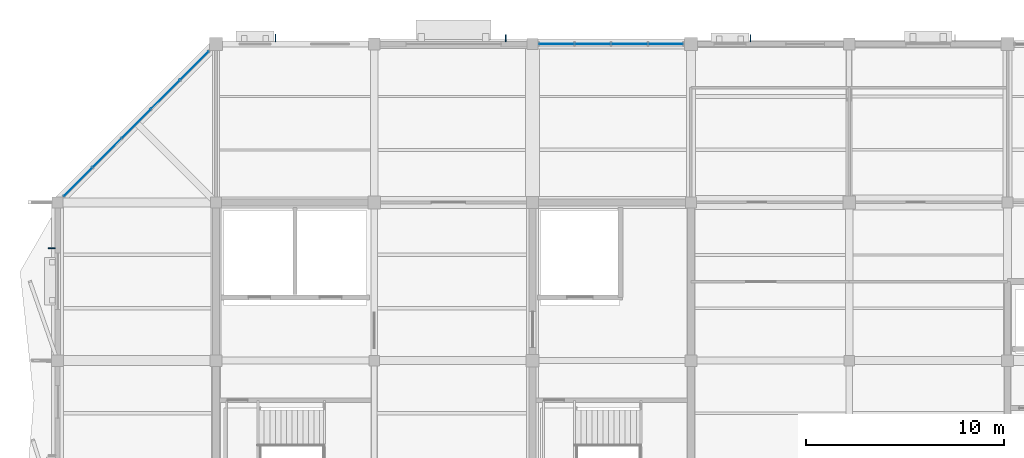
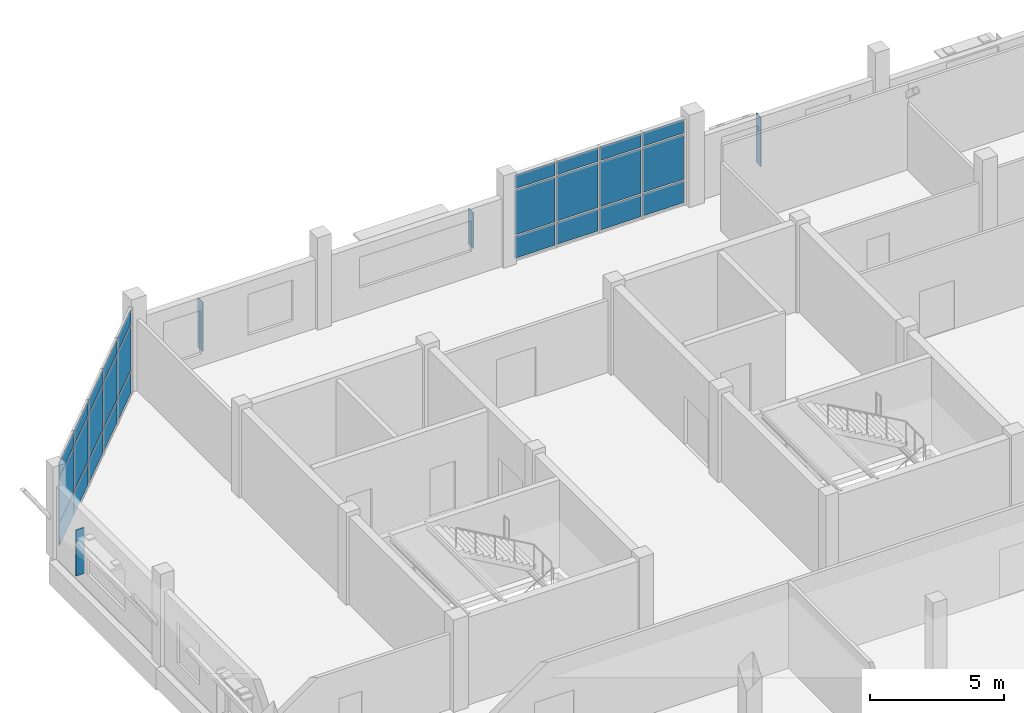
# One storey, part 55 of 72: 31 plates, 2 elements without a shape of their own.
"""IFC4 building model written with IfcOpenShell, lengths in metres."""

from ifc_helpers import new_model, si_unit, direction, frame, origin, origin_2d, place, context, subcontext, project, spatial, rectangle, extrude, material, layer, layer_set, type_object, element, aggregate, save


model = new_model("IFC4")

# Units and contexts
model_context = context("Model", 3, precision=1e-05, world=origin(), true_north=direction((0.0, 1.0)))
body_context = subcontext(model_context, "Body", "Model", "MODEL_VIEW")
ifc_project = project(units=[si_unit("LENGTHUNIT", "METRE"), si_unit("AREAUNIT", "SQUARE_METRE"), si_unit("VOLUMEUNIT", "CUBIC_METRE"), si_unit("PLANEANGLEUNIT", "RADIAN"), si_unit("MASSUNIT", "GRAM", prefix="KILO")], contexts=[model_context])

# Site, building, storey
site_placement = place(None, origin())
site = spatial("IfcSite", under=ifc_project, at=site_placement, CompositionType="ELEMENT")
building_placement = place(site_placement, origin())
building = spatial("IfcBuilding", under=site, at=building_placement, Name="Tenunan Teduh Sports Hall", CompositionType="ELEMENT")
storey_placement = place(building_placement, frame((0.0, 0.0, 15.0)))
storey = spatial("IfcBuildingStorey", under=building, at=storey_placement, Name="L03", CompositionType="ELEMENT", Elevation=15.0)

# Curtain wall, plates
ifc_material_1 = material(Name="Anodised aluminium", Category="aluminium")
curtain_wall_type = type_object("IfcCurtainWallType", Name="CW-UNIT-2", PredefinedType="NOTDEFINED", material=ifc_material_1)
curtain_wall_1_placement = place(storey_placement, origin())
curtain_wall_1 = element("IfcCurtainWall", 1, at=curtain_wall_1_placement, inside=storey, type_object=curtain_wall_type, Name="CW-CWM-220-L03-225", PredefinedType="NOTDEFINED")
ifc_material_2 = material(Name="Solar-control laminated glazing", Category="glass")
ifc_layer_1 = layer(ifc_material_2, 0.031982421875)
ifc_layer_set_1 = layer_set([ifc_layer_1], Name="Solar-control laminated glazing")
plate_type_1 = type_object("IfcPlateType", Name="CWP-GLZ-32", PredefinedType="CURTAIN_PANEL", material=ifc_layer_set_1)
plate_1_placement = place(storey_placement, frame((31.21875, 118.0, 1.137451171875), z_axis=(0.0, 0.0, 1.0), x_axis=(1.0, 0.0, 0.0)))
plate_1 = element("IfcPlate", 2, at=plate_1_placement, type_object=plate_type_1, Name="CW-02 panel 1.2", PredefinedType="CURTAIN_PANEL", context=body_context, shape_type="SweptSolid", body=[
    extrude(rectangle(XDim=1.737548828125, YDim=0.031982421875, at=origin_2d()), origin(), (0.0, 0.0, 1.0), 2.02490234375),
])
plate_2_placement = place(storey_placement, frame((31.21875, 118.0, 3.237548828125), z_axis=(0.0, 0.0, 1.0), x_axis=(1.0, 0.0, 0.0)))
plate_2 = element("IfcPlate", 3, at=plate_2_placement, type_object=plate_type_1, Name="CW-02 panel 1.3", PredefinedType="CURTAIN_PANEL", context=body_context, shape_type="SweptSolid", body=[
    extrude(rectangle(XDim=1.737548828125, YDim=0.031982421875, at=origin_2d()), origin(), (0.0, 0.0, 1.0), 0.607421875),
])
plate_3_placement = place(storey_placement, frame((33.050048828125, 118.0, 1.137451171875), z_axis=(0.0, 0.0, 1.0), x_axis=(1.0, 0.0, 0.0)))
plate_3 = element("IfcPlate", 4, at=plate_3_placement, type_object=plate_type_1, Name="CW-02 panel 2.2", PredefinedType="CURTAIN_PANEL", context=body_context, shape_type="SweptSolid", body=[
    extrude(rectangle(XDim=1.77490234375, YDim=0.031982421875, at=origin_2d()), origin(), (0.0, 0.0, 1.0), 2.02490234375),
])
plate_4_placement = place(storey_placement, frame((33.050048828125, 118.0, 3.237548828125), z_axis=(0.0, 0.0, 1.0), x_axis=(1.0, 0.0, 0.0)))
plate_4 = element("IfcPlate", 5, at=plate_4_placement, type_object=plate_type_1, Name="CW-02 panel 2.3", PredefinedType="CURTAIN_PANEL", context=body_context, shape_type="SweptSolid", body=[
    extrude(rectangle(XDim=1.77490234375, YDim=0.031982421875, at=origin_2d()), origin(), (0.0, 0.0, 1.0), 0.607421875),
])
plate_5_placement = place(storey_placement, frame((34.89990234375, 118.0, 1.137451171875), z_axis=(0.0, 0.0, 1.0), x_axis=(1.0, 0.0, 0.0)))
plate_5 = element("IfcPlate", 6, at=plate_5_placement, type_object=plate_type_1, Name="CW-02 panel 3.2", PredefinedType="CURTAIN_PANEL", context=body_context, shape_type="SweptSolid", body=[
    extrude(rectangle(XDim=1.77490234375, YDim=0.031982421875, at=origin_2d()), origin(), (0.0, 0.0, 1.0), 2.02490234375),
])
plate_6_placement = place(storey_placement, frame((34.89990234375, 118.0, 3.237548828125), z_axis=(0.0, 0.0, 1.0), x_axis=(1.0, 0.0, 0.0)))
plate_6 = element("IfcPlate", 7, at=plate_6_placement, type_object=plate_type_1, Name="CW-02 panel 3.3", PredefinedType="CURTAIN_PANEL", context=body_context, shape_type="SweptSolid", body=[
    extrude(rectangle(XDim=1.77490234375, YDim=0.031982421875, at=origin_2d()), origin(), (0.0, 0.0, 1.0), 0.607421875),
])
plate_7_placement = place(storey_placement, frame((36.731201171875, 118.0, 1.137451171875), z_axis=(0.0, 0.0, 1.0), x_axis=(1.0, 0.0, 0.0)))
plate_7 = element("IfcPlate", 8, at=plate_7_placement, type_object=plate_type_1, Name="CW-02 panel 4.2", PredefinedType="CURTAIN_PANEL", context=body_context, shape_type="SweptSolid", body=[
    extrude(rectangle(XDim=1.737548828125, YDim=0.031982421875, at=origin_2d()), origin(), (0.0, 0.0, 1.0), 2.02490234375),
])
plate_8_placement = place(storey_placement, frame((36.731201171875, 118.0, 3.237548828125), z_axis=(0.0, 0.0, 1.0), x_axis=(1.0, 0.0, 0.0)))
plate_8 = element("IfcPlate", 9, at=plate_8_placement, type_object=plate_type_1, Name="CW-02 panel 4.3", PredefinedType="CURTAIN_PANEL", context=body_context, shape_type="SweptSolid", body=[
    extrude(rectangle(XDim=1.737548828125, YDim=0.031982421875, at=origin_2d()), origin(), (0.0, 0.0, 1.0), 0.607421875),
])

curtain_wall_2_placement = place(storey_placement, origin())
curtain_wall_2 = element("IfcCurtainWall", 10, at=curtain_wall_2_placement, inside=storey, type_object=curtain_wall_type, Name="CW-CWM-150-L03-227", PredefinedType="NOTDEFINED")
plate_9_placement = place(storey_placement, frame((7.036376953125, 111.036376953125, 1.1298828125), z_axis=(0.0, 0.0, 1.0), x_axis=(0.707101983943, 0.707111578398, 0.0)))
plate_9 = element("IfcPlate", 11, at=plate_9_placement, type_object=plate_type_1, Name="CW-02 panel 1.2", PredefinedType="CURTAIN_PANEL", context=body_context, shape_type="SweptSolid", body=[
    extrude(rectangle(XDim=1.99462890625, YDim=0.031982421875, at=origin_2d()), origin(), (0.0, 0.0, 1.0), 2.0400390625),
])
plate_10_placement = place(storey_placement, frame((7.036376953125, 111.036376953125, 3.22998046875), z_axis=(0.0, 0.0, 1.0), x_axis=(0.707101983943, 0.707111578398, 0.0)))
plate_10 = element("IfcPlate", 12, at=plate_10_placement, type_object=plate_type_1, Name="CW-02 panel 1.3", PredefinedType="CURTAIN_PANEL", context=body_context, shape_type="SweptSolid", body=[
    extrude(rectangle(XDim=1.99462890625, YDim=0.031982421875, at=origin_2d()), origin(), (0.0, 0.0, 1.0), 0.6298828125),
])
plate_11_placement = place(storey_placement, frame((8.499755859375, 112.499755859375, 1.1298828125), z_axis=(0.0, 0.0, 1.0), x_axis=(0.707101983943, 0.707111578398, 0.0)))
plate_11 = element("IfcPlate", 13, at=plate_11_placement, type_object=plate_type_1, Name="CW-02 panel 2.2", PredefinedType="CURTAIN_PANEL", context=body_context, shape_type="SweptSolid", body=[
    extrude(rectangle(XDim=2.024658203125, YDim=0.031982421875, at=origin_2d()), origin(), (0.0, 0.0, 1.0), 2.0400390625),
])
plate_12_placement = place(storey_placement, frame((8.499755859375, 112.499755859375, 3.22998046875), z_axis=(0.0, 0.0, 1.0), x_axis=(0.707101983943, 0.707111578398, 0.0)))
plate_12 = element("IfcPlate", 14, at=plate_12_placement, type_object=plate_type_1, Name="CW-02 panel 2.3", PredefinedType="CURTAIN_PANEL", context=body_context, shape_type="SweptSolid", body=[
    extrude(rectangle(XDim=2.024658203125, YDim=0.031982421875, at=origin_2d()), origin(), (0.0, 0.0, 1.0), 0.6298828125),
])
plate_13_placement = place(storey_placement, frame((9.9736328125, 113.9736328125, 1.1298828125), z_axis=(0.0, 0.0, 1.0), x_axis=(0.707101983943, 0.707111578398, 0.0)))
plate_13 = element("IfcPlate", 15, at=plate_13_placement, type_object=plate_type_1, Name="CW-02 panel 3.2", PredefinedType="CURTAIN_PANEL", context=body_context, shape_type="SweptSolid", body=[
    extrude(rectangle(XDim=2.024658203125, YDim=0.031982421875, at=origin_2d()), origin(), (0.0, 0.0, 1.0), 2.0400390625),
])
plate_14_placement = place(storey_placement, frame((9.9736328125, 113.9736328125, 3.22998046875), z_axis=(0.0, 0.0, 1.0), x_axis=(0.707101983943, 0.707111578398, 0.0)))
plate_14 = element("IfcPlate", 16, at=plate_14_placement, type_object=plate_type_1, Name="CW-02 panel 3.3", PredefinedType="CURTAIN_PANEL", context=body_context, shape_type="SweptSolid", body=[
    extrude(rectangle(XDim=2.024658203125, YDim=0.031982421875, at=origin_2d()), origin(), (0.0, 0.0, 1.0), 0.6298828125),
])
plate_15_placement = place(storey_placement, frame((11.44775390625, 115.44775390625, 1.1298828125), z_axis=(0.0, 0.0, 1.0), x_axis=(0.707101983943, 0.707111578398, 0.0)))
plate_15 = element("IfcPlate", 17, at=plate_15_placement, type_object=plate_type_1, Name="CW-02 panel 4.2", PredefinedType="CURTAIN_PANEL", context=body_context, shape_type="SweptSolid", body=[
    extrude(rectangle(XDim=2.024658203125, YDim=0.031982421875, at=origin_2d()), origin(), (0.0, 0.0, 1.0), 2.0400390625),
])
plate_16_placement = place(storey_placement, frame((11.44775390625, 115.44775390625, 3.22998046875), z_axis=(0.0, 0.0, 1.0), x_axis=(0.707101983943, 0.707111578398, 0.0)))
plate_16 = element("IfcPlate", 18, at=plate_16_placement, type_object=plate_type_1, Name="CW-02 panel 4.3", PredefinedType="CURTAIN_PANEL", context=body_context, shape_type="SweptSolid", body=[
    extrude(rectangle(XDim=2.024658203125, YDim=0.031982421875, at=origin_2d()), origin(), (0.0, 0.0, 1.0), 0.6298828125),
])
plate_17_placement = place(storey_placement, frame((12.9111328125, 116.9111328125, 1.1298828125), z_axis=(0.0, 0.0, 1.0), x_axis=(0.707101983943, 0.707111578398, 0.0)))
plate_17 = element("IfcPlate", 19, at=plate_17_placement, type_object=plate_type_1, Name="CW-02 panel 5.2", PredefinedType="CURTAIN_PANEL", context=body_context, shape_type="SweptSolid", body=[
    extrude(rectangle(XDim=1.99462890625, YDim=0.031982421875, at=origin_2d()), origin(), (0.0, 0.0, 1.0), 2.0400390625),
])
plate_18_placement = place(storey_placement, frame((12.9111328125, 116.9111328125, 3.22998046875), z_axis=(0.0, 0.0, 1.0), x_axis=(0.707101983943, 0.707111578398, 0.0)))
plate_18 = element("IfcPlate", 20, at=plate_18_placement, type_object=plate_type_1, Name="CW-02 panel 5.3", PredefinedType="CURTAIN_PANEL", context=body_context, shape_type="SweptSolid", body=[
    extrude(rectangle(XDim=1.99462890625, YDim=0.031982421875, at=origin_2d()), origin(), (0.0, 0.0, 1.0), 0.6298828125),
])

# Plate
ifc_material_3 = material(Name="Insulated aluminium spandrel panel", Category="aluminium")
ifc_layer_2 = layer(ifc_material_3, 0.044921875)
ifc_layer_set_2 = layer_set([ifc_layer_2], Name="Insulated aluminium spandrel panel")
plate_type_2 = type_object("IfcPlateType", Name="CWP-SPN-45", PredefinedType="CURTAIN_PANEL", material=ifc_layer_set_2)
plate_19_placement = place(storey_placement, frame((31.21875, 118.0, 0.0751953125), z_axis=(0.0, 0.0, 1.0), x_axis=(1.0, 0.0, 0.0)))
plate_19 = element("IfcPlate", 21, at=plate_19_placement, type_object=plate_type_2, Name="CW-02 panel 1.1", PredefinedType="CURTAIN_PANEL", context=body_context, shape_type="SweptSolid", body=[
    extrude(rectangle(XDim=1.737548828125, YDim=0.031982421875, at=origin_2d()), origin(), (0.0, 0.0, 1.0), 0.987548828125),
])

plate_20_placement = place(storey_placement, frame((33.050048828125, 118.0, 0.0751953125), z_axis=(0.0, 0.0, 1.0), x_axis=(1.0, 0.0, 0.0)))
plate_20 = element("IfcPlate", 22, at=plate_20_placement, type_object=plate_type_2, Name="CW-02 panel 2.1", PredefinedType="CURTAIN_PANEL", context=body_context, shape_type="SweptSolid", body=[
    extrude(rectangle(XDim=1.77490234375, YDim=0.031982421875, at=origin_2d()), origin(), (0.0, 0.0, 1.0), 0.987548828125),
])

plate_21_placement = place(storey_placement, frame((34.89990234375, 118.0, 0.0751953125), z_axis=(0.0, 0.0, 1.0), x_axis=(1.0, 0.0, 0.0)))
plate_21 = element("IfcPlate", 23, at=plate_21_placement, type_object=plate_type_2, Name="CW-02 panel 3.1", PredefinedType="CURTAIN_PANEL", context=body_context, shape_type="SweptSolid", body=[
    extrude(rectangle(XDim=1.77490234375, YDim=0.031982421875, at=origin_2d()), origin(), (0.0, 0.0, 1.0), 0.987548828125),
])

plate_22_placement = place(storey_placement, frame((36.731201171875, 118.0, 0.0751953125), z_axis=(0.0, 0.0, 1.0), x_axis=(1.0, 0.0, 0.0)))
plate_22 = element("IfcPlate", 24, at=plate_22_placement, type_object=plate_type_2, Name="CW-02 panel 4.1", PredefinedType="CURTAIN_PANEL", context=body_context, shape_type="SweptSolid", body=[
    extrude(rectangle(XDim=1.737548828125, YDim=0.031982421875, at=origin_2d()), origin(), (0.0, 0.0, 1.0), 0.987548828125),
])

aggregate(curtain_wall_1, [plate_19, plate_1, plate_2, plate_20, plate_3, plate_4, plate_21, plate_5, plate_6, plate_22, plate_7, plate_8])

plate_23_placement = place(storey_placement, frame((7.036376953125, 111.036376953125, 0.06005859375), z_axis=(0.0, 0.0, 1.0), x_axis=(0.707101983943, 0.707111578398, 0.0)))
plate_23 = element("IfcPlate", 25, at=plate_23_placement, type_object=plate_type_2, Name="CW-02 panel 1.1", PredefinedType="CURTAIN_PANEL", context=body_context, shape_type="SweptSolid", body=[
    extrude(rectangle(XDim=1.99462890625, YDim=0.031982421875, at=origin_2d()), origin(), (0.0, 0.0, 1.0), 1.010009765625),
])

plate_24_placement = place(storey_placement, frame((8.499755859375, 112.499755859375, 0.06005859375), z_axis=(0.0, 0.0, 1.0), x_axis=(0.707101983943, 0.707111578398, 0.0)))
plate_24 = element("IfcPlate", 26, at=plate_24_placement, type_object=plate_type_2, Name="CW-02 panel 2.1", PredefinedType="CURTAIN_PANEL", context=body_context, shape_type="SweptSolid", body=[
    extrude(rectangle(XDim=2.024658203125, YDim=0.031982421875, at=origin_2d()), origin(), (0.0, 0.0, 1.0), 1.010009765625),
])

plate_25_placement = place(storey_placement, frame((9.9736328125, 113.9736328125, 0.06005859375), z_axis=(0.0, 0.0, 1.0), x_axis=(0.707101983943, 0.707111578398, 0.0)))
plate_25 = element("IfcPlate", 27, at=plate_25_placement, type_object=plate_type_2, Name="CW-02 panel 3.1", PredefinedType="CURTAIN_PANEL", context=body_context, shape_type="SweptSolid", body=[
    extrude(rectangle(XDim=2.024658203125, YDim=0.031982421875, at=origin_2d()), origin(), (0.0, 0.0, 1.0), 1.010009765625),
])

plate_26_placement = place(storey_placement, frame((11.44775390625, 115.44775390625, 0.06005859375), z_axis=(0.0, 0.0, 1.0), x_axis=(0.707101983943, 0.707111578398, 0.0)))
plate_26 = element("IfcPlate", 28, at=plate_26_placement, type_object=plate_type_2, Name="CW-02 panel 4.1", PredefinedType="CURTAIN_PANEL", context=body_context, shape_type="SweptSolid", body=[
    extrude(rectangle(XDim=2.024658203125, YDim=0.031982421875, at=origin_2d()), origin(), (0.0, 0.0, 1.0), 1.010009765625),
])

plate_27_placement = place(storey_placement, frame((12.9111328125, 116.9111328125, 0.06005859375), z_axis=(0.0, 0.0, 1.0), x_axis=(0.707101983943, 0.707111578398, 0.0)))
plate_27 = element("IfcPlate", 29, at=plate_27_placement, type_object=plate_type_2, Name="CW-02 panel 5.1", PredefinedType="CURTAIN_PANEL", context=body_context, shape_type="SweptSolid", body=[
    extrude(rectangle(XDim=1.99462890625, YDim=0.031982421875, at=origin_2d()), origin(), (0.0, 0.0, 1.0), 1.010009765625),
])

aggregate(curtain_wall_2, [plate_23, plate_9, plate_10, plate_24, plate_11, plate_12, plate_25, plate_13, plate_14, plate_26, plate_15, plate_16, plate_27, plate_17, plate_18])

# Plates
ifc_material_4 = material(Name="Anodised aluminium", Category="aluminium")
ifc_layer_3 = layer(ifc_material_4, 1.89990234375)
ifc_layer_set_3 = layer_set([ifc_layer_3], Name="Anodised aluminium")
plate_type_3 = type_object("IfcPlateType", Name="PLT-FIN-1", PredefinedType="SHEET", material=ifc_layer_set_3)
plate_28_placement = place(storey_placement, frame((17.014892578125, 118.304931640625, 0.43017578125), z_axis=(0.0, 0.0, 1.0), x_axis=(1.0, 0.0, 0.0)))
element("IfcPlate", 30, at=plate_28_placement, inside=storey, type_object=plate_type_3, Name="PLT-FIN-L03-058", PredefinedType="SHEET", context=body_context, shape_type="SweptSolid", body=[
    extrude(rectangle(XDim=0.0400390625, YDim=0.360107421875, at=origin_2d()), origin(), (0.0, 0.0, 1.0), 2.239990234375),
])
plate_29_placement = place(storey_placement, frame((28.64990234375, 118.300048828125, 1.0302734375), z_axis=(0.0, 0.0, 1.0), x_axis=(1.0, 0.0, 0.0)))
element("IfcPlate", 31, at=plate_29_placement, inside=storey, type_object=plate_type_3, Name="PLT-FIN-L03-059", PredefinedType="SHEET", context=body_context, shape_type="SweptSolid", body=[
    extrude(rectangle(XDim=0.0400390625, YDim=0.360107421875, at=origin_2d()), origin(), (0.0, 0.0, 1.0), 1.639892578125),
])
plate_30_placement = place(storey_placement, frame((41.014892578125, 118.284912109375, 0.43017578125), z_axis=(0.0, 0.0, 1.0), x_axis=(1.0, 0.0, 0.0)))
element("IfcPlate", 32, at=plate_30_placement, inside=storey, type_object=plate_type_3, Name="PLT-FIN-L03-060", PredefinedType="SHEET", context=body_context, shape_type="SweptSolid", body=[
    extrude(rectangle(XDim=0.0400390625, YDim=0.360107421875, at=origin_2d()), origin(), (0.0, 0.0, 1.0), 2.239990234375),
])
plate_31_placement = place(storey_placement, frame((5.699951171875, 107.679931640625, 0.580078125), z_axis=(0.0, 0.0, 1.0), x_axis=(0.0, 1.0, 0.0)))
element("IfcPlate", 33, at=plate_31_placement, inside=storey, type_object=plate_type_3, Name="PLT-FIN-L03-064", PredefinedType="SHEET", context=body_context, shape_type="SweptSolid", body=[
    extrude(rectangle(XDim=0.0400390625, YDim=0.360107421875, at=origin_2d()), origin(), (0.0, 0.0, 1.0), 2.090087890625),
])

save(model, "model.ifc")
